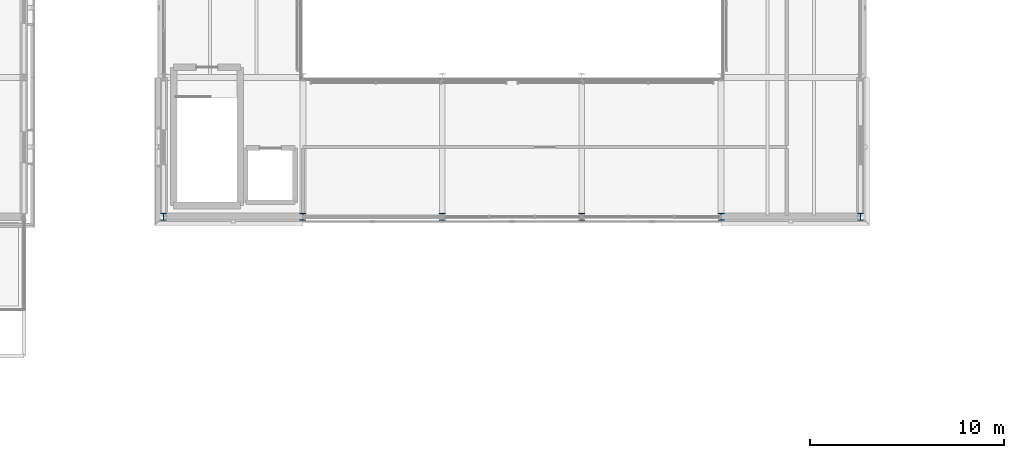
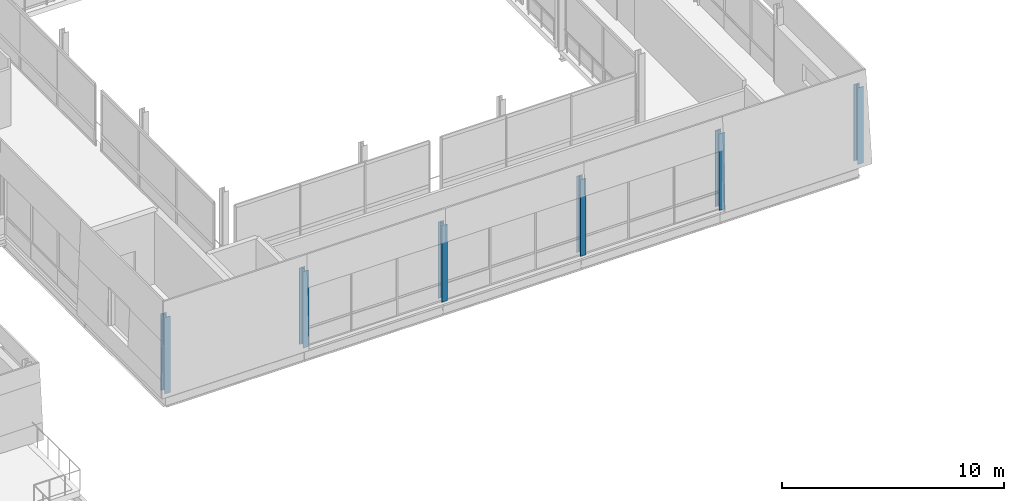
# One storey, part 4 of 91: 6 columns.
"""IFC4 building model written with IfcOpenShell, lengths in metres."""

from ifc_helpers import new_model, si_unit, direction, frame, origin, origin_2d, place, context, subcontext, project, spatial, i_section, extrude, material, material_profile, profile_set, type_object, element, save


model = new_model("IFC4")

# Units and contexts
model_context = context("Model", 3, precision=1e-05, world=origin(), true_north=direction((0.0, 1.0)))
body_context = subcontext(model_context, "Body", "Model", "MODEL_VIEW")
ifc_project = project(units=[si_unit("LENGTHUNIT", "METRE"), si_unit("AREAUNIT", "SQUARE_METRE"), si_unit("VOLUMEUNIT", "CUBIC_METRE"), si_unit("PLANEANGLEUNIT", "RADIAN"), si_unit("MASSUNIT", "GRAM", prefix="KILO")], contexts=[model_context])

# Site, building, storey
site_placement = place(None, origin())
site = spatial("IfcSite", under=ifc_project, at=site_placement, CompositionType="ELEMENT")
building_placement = place(site_placement, origin())
building = spatial("IfcBuilding", under=site, at=building_placement, Name="Narikvali Park Central Library", CompositionType="ELEMENT")
storey_placement = place(building_placement, frame((0.0, 0.0, 14.39990234375)))
storey = spatial("IfcBuildingStorey", under=building, at=storey_placement, Name="L03", CompositionType="ELEMENT", Elevation=14.39990234375)

# Columns
ifc_material = material(Name="Steel S355", Category="steel")
ifc_material_profile = material_profile(ifc_material, i_section(OverallWidth=0.300048828125, OverallDepth=0.360107421875, WebThickness=0.012451171875, FlangeThickness=0.0224609375, FilletRadius=0.027099609375, at=origin_2d()), Name="HEB 360")
ifc_profile_set = profile_set([ifc_material_profile], Name="Steel S355")
column_type = type_object("IfcColumnType", Name="Steel Column HEB360", PredefinedType="COLUMN", material=ifc_profile_set)
for number, where, z_axis, x_axis, name in (
    (1, (64.800048828125, 57.60009765625, 0.0), (0.0, 0.0, 1.0), (1.0, 0.0, 0.0), "V1 L03 Column (64.8,57.6)"),
    (2, (72.0, 57.60009765625, 0.0), (0.0, 0.0, 1.0), (1.0, 0.0, 0.0), "V1 L03 Column (72.0,57.6)"),
    (3, (79.199951171875, 57.60009765625, 0.0), (0.0, 0.0, 1.0), (1.0, 0.0, 0.0), "V1 L03 Column (79.2,57.6)"),
    (4, (86.39990234375, 57.60009765625, 0.0), (0.0, 0.0, 1.0), (1.0, 0.0, 0.0), "V1 L03 Column (86.4,57.6)"),
    (5, (93.60009765625, 57.60009765625, 0.0), (0.0, 0.0, 1.0), (1.0, 0.0, 0.0), "V1 L03 Column (93.6,57.6)"),
    (6, (100.800048828125, 57.60009765625, 0.0), (0.0, 0.0, 1.0), (1.0, 0.0, 0.0), "V1 L03 Column (100.8,57.6)"),
):
    element("IfcColumn", number, at=place(storey_placement, frame(where, z_axis=z_axis, x_axis=x_axis)), inside=storey, type_object=column_type, Name=name, PredefinedType="COLUMN", context=body_context, shape_type="SweptSolid", body=[
        extrude(i_section(OverallWidth=0.300048828125, OverallDepth=0.360107421875, WebThickness=0.012451171875, FlangeThickness=0.0224609375, FilletRadius=0.027099609375, at=origin_2d()), origin(), (0.0, 0.0, 1.0), 4.2001953125),
    ])

save(model, "model.ifc")
